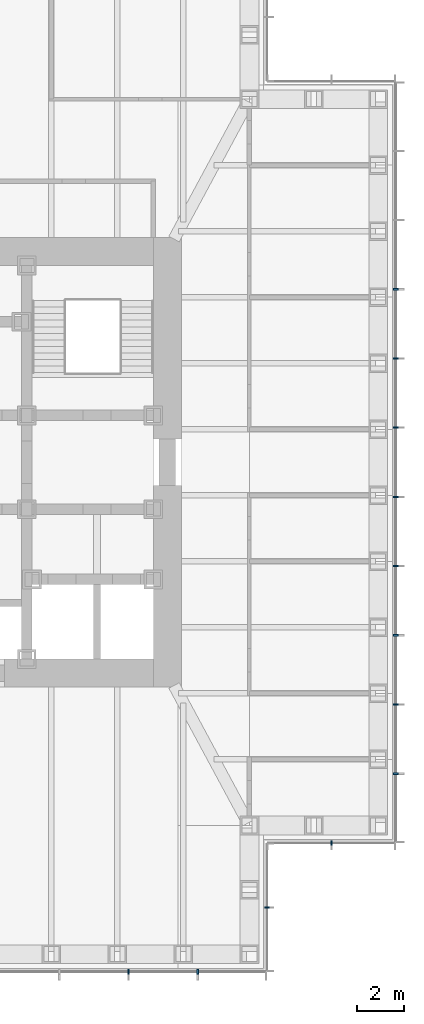
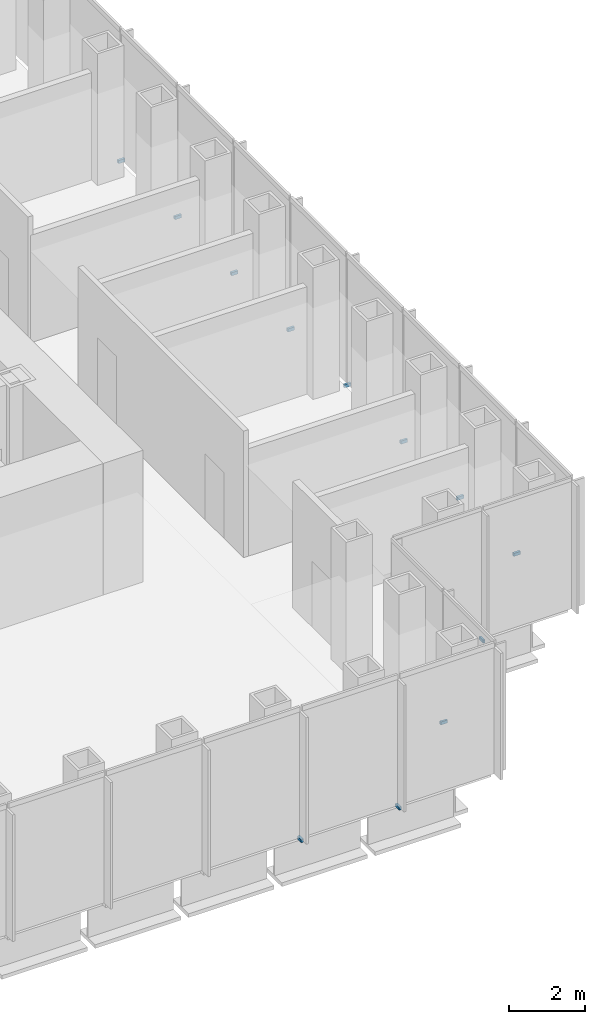
# One storey, part 13 of 16: 12 discrete accessories.
"""IFC4 building model written with IfcOpenShell, lengths in metres."""

from ifc_helpers import new_model, si_unit, direction, frame, origin, origin_2d, place, context, subcontext, project, spatial, rectangle, extrude, element, save


model = new_model("IFC4")

# Units and contexts
model_context = context("Model", 3, precision=1e-05, world=origin(), true_north=direction((0.0, 1.0)))
body_context = subcontext(model_context, "Body", "Model", "MODEL_VIEW")
ifc_project = project(units=[si_unit("LENGTHUNIT", "METRE"), si_unit("AREAUNIT", "SQUARE_METRE"), si_unit("VOLUMEUNIT", "CUBIC_METRE"), si_unit("PLANEANGLEUNIT", "RADIAN"), si_unit("MASSUNIT", "GRAM", prefix="KILO")], contexts=[model_context])

# Site, building, storey
site_placement = place(None, origin())
site = spatial("IfcSite", under=ifc_project, at=site_placement, CompositionType="ELEMENT")
building_placement = place(site_placement, origin())
building = spatial("IfcBuilding", under=site, at=building_placement, Name="Daluyong Arena Tower", CompositionType="ELEMENT")
storey_placement = place(building_placement, frame((0.0, 0.0, 214.89990234375)))
storey = spatial("IfcBuildingStorey", under=building, at=storey_placement, Name="L48", CompositionType="ELEMENT", Elevation=214.89990234375)

# Discrete accessories
for number, where, z_axis, x_axis, name in (
    (1, (66.3408203125, 58.25, -0.099853515625), (0.0, 0.0, 1.0), (1.0, 0.0, 0.0), "curtain wall L48 S anchor bracket 10"),
    (2, (69.29541015625, 58.25, -0.099853515625), (0.0, 0.0, 1.0), (1.0, 0.0, 0.0), "curtain wall L48 S anchor bracket 11"),
):
    element("IfcDiscreteAccessory", number, at=place(storey_placement, frame(where, z_axis=z_axis, x_axis=x_axis)), inside=storey, Name=name, PredefinedType="BRACKET", context=body_context, shape_type="SweptSolid", body=[
        extrude(rectangle(XDim=0.070068359375, YDim=0.199951171875, at=origin_2d()), origin(), (0.0, 0.0, 1.0), 0.10009765625),
    ])
for number, where, z_axis, x_axis, name in (
    (3, (72.25, 61.0, -0.099853515625), (0.0, 0.0, 1.0), (0.0, 1.0, 0.0), "curtain wall L48 SE-E anchor bracket 2"),
    (4, (75.0, 63.75, -0.099853515625), (0.0, 0.0, 1.0), (1.0, 0.0, 0.0), "curtain wall L48 SE-S anchor bracket 2"),
):
    element("IfcDiscreteAccessory", number, at=place(storey_placement, frame(where, z_axis=z_axis, x_axis=x_axis)), inside=storey, Name=name, PredefinedType="BRACKET", context=body_context, shape_type="SweptSolid", body=[
        extrude(rectangle(XDim=0.06005859375, YDim=0.199951171875, at=origin_2d()), origin(), (0.0, 0.0, 1.0), 0.10009765625),
    ])
for number, where, z_axis, x_axis, name in (
    (5, (77.75, 66.70458984375, -0.099853515625), (0.0, 0.0, 1.0), (0.0, 1.0, 0.0), "curtain wall L48 E anchor bracket 2"),
    (6, (77.75, 69.6591796875, -0.099853515625), (0.0, 0.0, 1.0), (0.0, 1.0, 0.0), "curtain wall L48 E anchor bracket 3"),
    (7, (77.75, 72.613525390625, -0.099853515625), (0.0, 0.0, 1.0), (0.0, 1.0, 0.0), "curtain wall L48 E anchor bracket 4"),
    (8, (77.75, 75.568115234375, -0.099853515625), (0.0, 0.0, 1.0), (0.0, 1.0, 0.0), "curtain wall L48 E anchor bracket 5"),
    (9, (77.75, 78.522705078125, -0.099853515625), (0.0, 0.0, 1.0), (0.0, 1.0, 0.0), "curtain wall L48 E anchor bracket 6"),
    (10, (77.75, 81.477294921875, -0.099853515625), (0.0, 0.0, 1.0), (0.0, 1.0, 0.0), "curtain wall L48 E anchor bracket 7"),
    (11, (77.75, 84.431884765625, -0.099853515625), (0.0, 0.0, 1.0), (0.0, 1.0, 0.0), "curtain wall L48 E anchor bracket 8"),
    (12, (77.75, 87.386474609375, -0.099853515625), (0.0, 0.0, 1.0), (0.0, 1.0, 0.0), "curtain wall L48 E anchor bracket 9"),
):
    element("IfcDiscreteAccessory", number, at=place(storey_placement, frame(where, z_axis=z_axis, x_axis=x_axis)), inside=storey, Name=name, PredefinedType="BRACKET", context=body_context, shape_type="SweptSolid", body=[
        extrude(rectangle(XDim=0.070068359375, YDim=0.199951171875, at=origin_2d()), origin(), (0.0, 0.0, 1.0), 0.10009765625),
    ])

save(model, "model.ifc")
